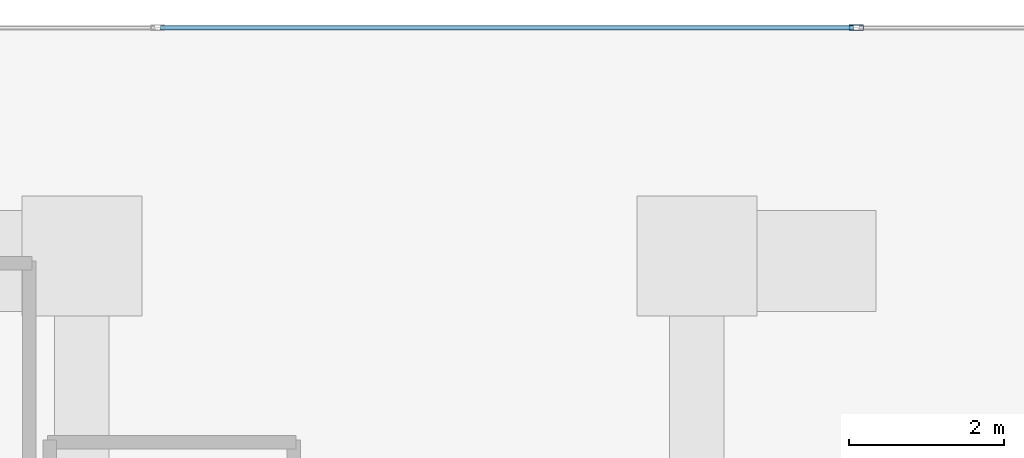
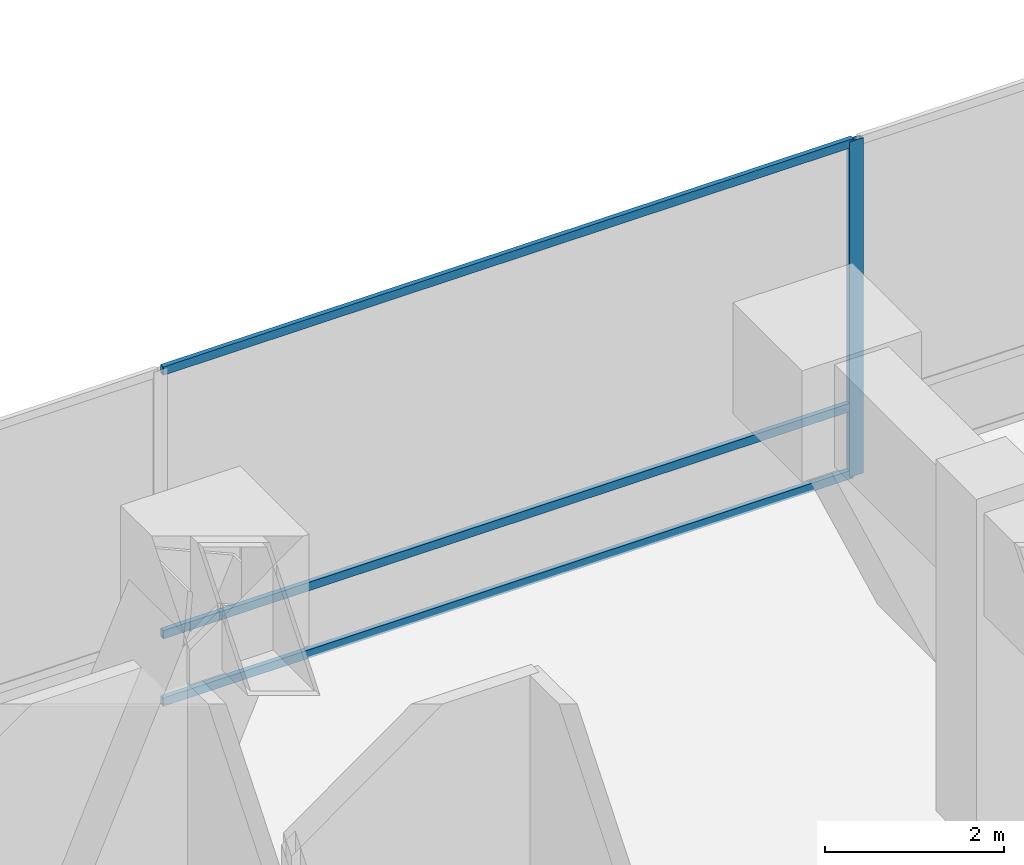
# One storey, part 21 of 45: 4 members, 1 element without a shape of its own.
"""IFC4 building model written with IfcOpenShell, lengths in metres."""

from ifc_helpers import new_model, si_unit, direction, frame, origin, origin_2d, place, context, subcontext, project, spatial, hollow_rectangle, extrude, material, layer, layer_set, material_profile, profile_set, type_object, element, aggregate, save


model = new_model("IFC4")

# Units and contexts
model_context = context("Model", 3, precision=1e-05, world=origin(), true_north=direction((0.0, 1.0)))
body_context = subcontext(model_context, "Body", "Model", "MODEL_VIEW")
ifc_project = project(units=[si_unit("LENGTHUNIT", "METRE"), si_unit("AREAUNIT", "SQUARE_METRE"), si_unit("VOLUMEUNIT", "CUBIC_METRE"), si_unit("PLANEANGLEUNIT", "RADIAN"), si_unit("MASSUNIT", "GRAM", prefix="KILO")], contexts=[model_context])

# Site, building, storey
site_placement = place(None, origin())
site = spatial("IfcSite", under=ifc_project, at=site_placement, CompositionType="ELEMENT")
building_placement = place(site_placement, origin())
building = spatial("IfcBuilding", under=site, at=building_placement, Name="Qianvela Tower", CompositionType="ELEMENT")
storey_placement = place(building_placement, frame((0.0, 0.0, 11.0)))
storey = spatial("IfcBuildingStorey", under=building, at=storey_placement, Name="L02", CompositionType="ELEMENT", Elevation=11.0)

# Curtain wall, members
ifc_material_1 = material(Name="Anodised Architectural Aluminium and Low-E Glass", Category="aluminium")
ifc_layer = layer(ifc_material_1, 0.179931640625)
ifc_layer_set = layer_set([ifc_layer], Name="Anodised Architectural Aluminium and Low-E Glass")
curtain_wall_type = type_object("IfcCurtainWallType", Name="CW-COMMONS", PredefinedType="USERDEFINED", material=ifc_layer_set)
curtain_wall_placement = place(storey_placement, origin())
curtain_wall = element("IfcCurtainWall", 1, at=curtain_wall_placement, inside=storey, type_object=curtain_wall_type, Name="L02 CW-COMMONS Curtain Wall 05", ObjectType="CURTAIN_WALL_SYSTEM", PredefinedType="USERDEFINED")
ifc_material_2 = material(Name="Anodised Architectural Aluminium 6063-T6", Category="aluminium")
ifc_material_profile_1 = material_profile(ifc_material_2, hollow_rectangle(XDim=0.070068359375, YDim=0.179931640625, WallThickness=0.0048828125, at=origin_2d()), Name="ALU-MULL-70x180")
ifc_profile_set_1 = profile_set([ifc_material_profile_1], Name="Anodised Architectural Aluminium 6063-T6")
member_type_1 = type_object("IfcMemberType", Name="CW-COMMONS-MULL", PredefinedType="MULLION", material=ifc_profile_set_1)
member_1_placement = place(storey_placement, frame((33.007080078125, 50.5, 0.0), z_axis=(0.0, 0.0, 1.0), x_axis=(0.0, -1.0, 0.0)))
member_1 = element("IfcMember", 2, at=member_1_placement, type_object=member_type_1, Name="CW-2 mullion 5", PredefinedType="MULLION", context=body_context, shape_type="SweptSolid", body=[
    extrude(hollow_rectangle(XDim=0.070068359375, YDim=0.179931640625, WallThickness=0.0048828125, at=origin_2d()), origin(), (0.0, 0.0, 1.0), 4.580078125),
])
ifc_material_3 = material(Name="Anodised Architectural Aluminium 6063-T6", Category="aluminium")
ifc_material_profile_2 = material_profile(ifc_material_3, hollow_rectangle(XDim=0.06005859375, YDim=0.114990234375, WallThickness=0.00390625, at=origin_2d()), Name="ALU-TRAN-60x115")
ifc_profile_set_2 = profile_set([ifc_material_profile_2], Name="Anodised Architectural Aluminium 6063-T6")
member_type_2 = type_object("IfcMemberType", Name="CW-COMMONS-TRAN", PredefinedType="USERDEFINED", material=ifc_profile_set_2)
member_2_placement = place(storey_placement, frame((32.97216796875, 50.5, 0.030029296875), z_axis=(-1.0, 0.0, 0.0), x_axis=(0.0, -1.0, 0.0)))
member_2 = element("IfcMember", 3, at=member_2_placement, type_object=member_type_2, Name="CW-2 transom 5.1", ObjectType="TRANSOM", PredefinedType="USERDEFINED", context=body_context, shape_type="SweptSolid", body=[
    extrude(hollow_rectangle(XDim=0.06005859375, YDim=0.114990234375, WallThickness=0.00390625, at=origin_2d()), origin(), (0.0, 0.0, 1.0), 8.915771484375),
])
member_3_placement = place(storey_placement, frame((32.97216796875, 50.5, 0.949951171875), z_axis=(-1.0, 0.0, 0.0), x_axis=(0.0, -1.0, 0.0)))
member_3 = element("IfcMember", 4, at=member_3_placement, type_object=member_type_2, Name="CW-2 transom 5.2", ObjectType="TRANSOM", PredefinedType="USERDEFINED", context=body_context, shape_type="SweptSolid", body=[
    extrude(hollow_rectangle(XDim=0.06005859375, YDim=0.114990234375, WallThickness=0.00390625, at=origin_2d()), origin(), (0.0, 0.0, 1.0), 8.915771484375),
])
member_4_placement = place(storey_placement, frame((32.97216796875, 50.5, 4.550048828125), z_axis=(-1.0, 0.0, 0.0), x_axis=(0.0, -1.0, 0.0)))
member_4 = element("IfcMember", 5, at=member_4_placement, type_object=member_type_2, Name="CW-2 transom 5.3", ObjectType="TRANSOM", PredefinedType="USERDEFINED", context=body_context, shape_type="SweptSolid", body=[
    extrude(hollow_rectangle(XDim=0.06005859375, YDim=0.114990234375, WallThickness=0.00390625, at=origin_2d()), origin(), (0.0, 0.0, 1.0), 8.915771484375),
])
aggregate(curtain_wall, [member_1, member_2, member_3, member_4])

save(model, "model.ifc")
